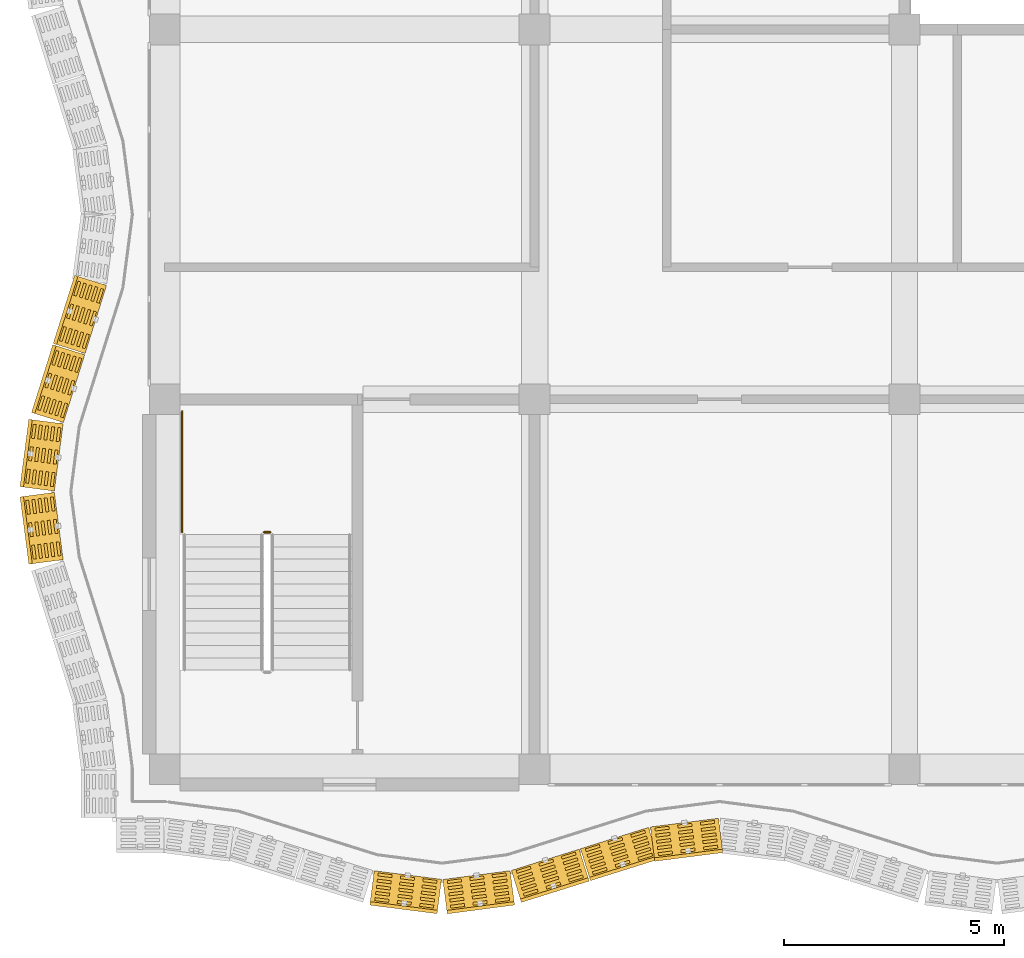
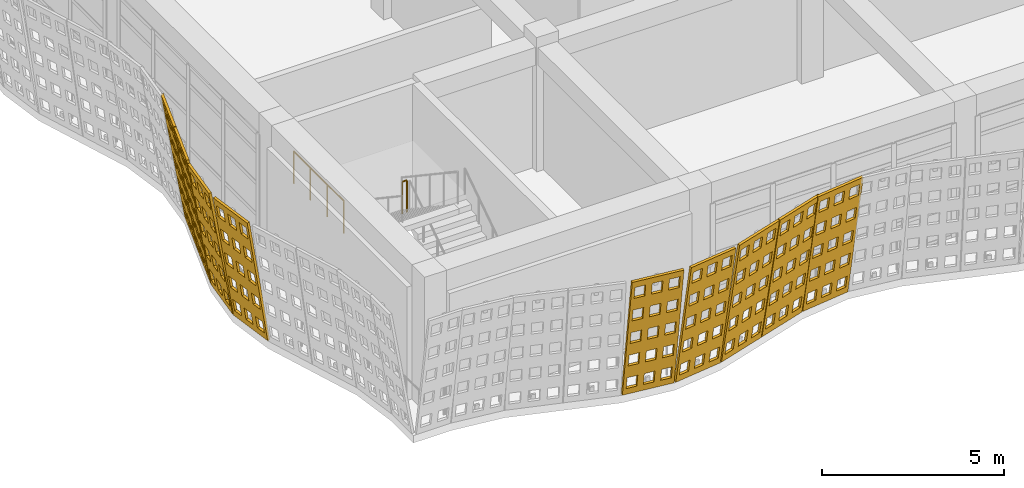
# One storey, part 149 of 163: 9 coverings, 2 railings.
"""IFC4 building model written with IfcOpenShell, lengths in metres."""

import ifcopenshell
import ifcopenshell.guid

model = None  # the IFC model being written
_history = None  # IfcOwnerHistory: only IFC2X3 demands one
_inside = {}  # id of a spatial element -> (the spatial element, [elements in it])
_under = {}  # id of a project, library or spatial element -> (it, [spatial elements below it])
_declared = {}  # id of a project -> (the project, [libraries it declares])
_typed = {}  # id of a type object -> (the type object, [elements of that type])
_made_of = {}  # id of a material, layer set ... -> (it, [elements and type objects made of it])


def new_model(schema):
    """Start an empty IFC model of exactly this schema.

    Asked for "IFC4X3", IfcOpenShell would pick the latest addendum, in which some entities
    have other attributes; the version numbers below select the first issue.
    IFC2X3 requires an IfcOwnerHistory on every rooted entity: one is made here for all.
    """
    global model, _history
    if schema == "IFC4X3":
        model = ifcopenshell.file(schema_version=(4, 3, 0, 0))
    else:
        model = ifcopenshell.file(schema=schema)
    _inside.clear()
    _under.clear()
    _declared.clear()
    _typed.clear()
    _made_of.clear()
    _history = None
    if model.schema == "IFC2X3":
        org = make("IfcOrganization", Name="unknown")
        user = make(
            "IfcPersonAndOrganization",
            ThePerson=make("IfcPerson", FamilyName="unknown"),
            TheOrganization=org,
        )
        app = make(
            "IfcApplication",
            ApplicationDeveloper=org,
            Version="unknown",
            ApplicationFullName="unknown",
            ApplicationIdentifier="unknown",
        )
        _history = make(
            "IfcOwnerHistory",
            OwningUser=user,
            OwningApplication=app,
            ChangeAction="ADDED",
            CreationDate=0,
        )
    return model


def make(cls, **values):
    """One entity of the class cls with the attributes given. An attribute that is None is left unset."""
    return model.create_entity(
        cls, **{name: value for name, value in values.items() if value is not None}
    )


def rooted(cls, **values):
    """An entity with a GlobalId (a new one), such as an element, a storey or a relation."""
    return make(cls, GlobalId=ifcopenshell.guid.new(), OwnerHistory=_history, **values)


def si_unit(unit_type, name, prefix=None):
    """IfcSIUnit, for example si_unit("LENGTHUNIT", "METRE", prefix="MILLI")."""
    return make("IfcSIUnit", UnitType=unit_type, Prefix=prefix, Name=name)


def assignment(units):
    """IfcUnitAssignment: the units of a project."""
    return None if units is None else make("IfcUnitAssignment", Units=units)


def point(xyz):
    """IfcCartesianPoint."""
    return None if xyz is None else make("IfcCartesianPoint", Coordinates=xyz)


def direction(xyz):
    """IfcDirection."""
    return None if xyz is None else make("IfcDirection", DirectionRatios=xyz)


def frame(location, z_axis=None, x_axis=None):
    """IfcAxis2Placement3D, a coordinate frame: its origin and axes. An axis left out is left unset."""
    return make(
        "IfcAxis2Placement3D",
        Location=point(location),
        Axis=direction(z_axis),
        RefDirection=direction(x_axis),
    )


def frame_2d(location, x_axis=None):
    """IfcAxis2Placement2D, a coordinate frame in the plane: its origin and x axis."""
    return make(
        "IfcAxis2Placement2D", Location=point(location), RefDirection=direction(x_axis)
    )


def origin():
    """The frame at (0, 0, 0) with its axes left unset."""
    return frame((0.0, 0.0, 0.0))


def origin_2d():
    """The frame at (0, 0) in the plane with its x axis left unset."""
    return frame_2d((0.0, 0.0))


def place(relative_to, where):
    """IfcLocalPlacement: puts the frame where relative to a parent placement (None: the world)."""
    return make(
        "IfcLocalPlacement", PlacementRelTo=relative_to, RelativePlacement=where
    )


def context(
    kind, dimensions, precision=None, world=None, true_north=None, identifier=None
):
    """IfcGeometricRepresentationContext, for example the 3D "Model" context."""
    return make(
        "IfcGeometricRepresentationContext",
        ContextIdentifier=identifier,
        ContextType=kind,
        CoordinateSpaceDimension=dimensions,
        Precision=precision,
        WorldCoordinateSystem=world,
        TrueNorth=true_north,
    )


def subcontext(parent, identifier, kind, view, scale=None):
    """IfcGeometricRepresentationSubContext, for example "Body" below "Model"."""
    return make(
        "IfcGeometricRepresentationSubContext",
        ContextIdentifier=identifier,
        ContextType=kind,
        ParentContext=parent,
        TargetScale=scale,
        TargetView=view,
    )


def project(units=None, contexts=None):
    """IfcProject with its units and contexts."""
    return rooted(
        "IfcProject",
        Name="project",
        RepresentationContexts=contexts,
        UnitsInContext=assignment(units),
    )


def spatial(cls, under=None, at=None, **own):
    """A site, building, storey or space (cls), placed at a placement, below another one or the project."""
    s = rooted(cls, ObjectPlacement=at, **own)
    if under is not None:
        _under.setdefault(under.id(), (under, []))[1].append(s)
    return s


def polyline(points):
    """IfcPolyline through the points."""
    return make("IfcPolyline", Points=[point(p) for p in points])


def profile(cls, at=None, kind="AREA", **sizes):
    """A parametric profile (cls). Its sizes go by their IFC names, for example OverallWidth=200.0."""
    return make(cls, ProfileType=kind, Position=at, **sizes)


def circle(**sizes):
    """IfcCircleProfileDef."""
    return profile("IfcCircleProfileDef", **sizes)


def outline(outer, holes=None, kind="AREA"):
    """IfcArbitraryClosedProfileDef: a profile drawn as a closed curve; with holes, ...WithVoids."""
    if holes is None:
        return make("IfcArbitraryClosedProfileDef", ProfileType=kind, OuterCurve=outer)
    return make(
        "IfcArbitraryProfileDefWithVoids",
        ProfileType=kind,
        OuterCurve=outer,
        InnerCurves=holes,
    )


def extrude(swept, where, along, depth):
    """IfcExtrudedAreaSolid: the profile swept, set in the frame where, extruded along a direction by depth."""
    return make(
        "IfcExtrudedAreaSolid",
        SweptArea=swept,
        Position=where,
        ExtrudedDirection=direction(along),
        Depth=depth,
    )


def shape(context_of_items, identifier, shape_type, items):
    """IfcShapeRepresentation: the items that make up one representation, for example the "Body"."""
    return make(
        "IfcShapeRepresentation",
        ContextOfItems=context_of_items,
        RepresentationIdentifier=identifier,
        RepresentationType=shape_type,
        Items=items,
    )


def material(Name=None, Category=None):
    """IfcMaterial."""
    return make("IfcMaterial", Name=Name, Category=Category)


def layer(
    of_material, thickness, ventilated=None, Name=None, Category=None, Priority=None
):
    """IfcMaterialLayer: one layer of a wall or slab, of a material (None: an air gap)."""
    return make(
        "IfcMaterialLayer",
        Material=of_material,
        LayerThickness=thickness,
        IsVentilated=ventilated,
        Name=Name,
        Category=Category,
        Priority=Priority,
    )


def layer_set(layers, Name=None):
    """IfcMaterialLayerSet."""
    return make("IfcMaterialLayerSet", MaterialLayers=layers, LayerSetName=Name)


def made_of(thing, what):
    """Note that an element or type object is made of a material, layer set ...; save() writes the relation."""
    if what is not None:
        _made_of.setdefault(what.id(), (what, []))[1].append(thing)
    return thing


def type_object(cls, material=None, **own):
    """A type object (cls), such as IfcWallType, which elements share."""
    return made_of(rooted(cls, **own), material)


def element(
    cls,
    number,
    at=None,
    inside=None,
    cuts=None,
    type_object=None,
    material=None,
    context=None,
    identifier="Body",
    shape_type=None,
    held_by="IfcProductDefinitionShape",
    body=None,
    shapes=None,
    **own,
):
    """One element of the class cls, such as IfcWall. Its Tag is "e" and its number.

    at: its placement. inside: the storey or other place that contains it. cuts: it is an
    opening in that element (IfcRelVoidsElement). A single representation is given by context,
    identifier, shape_type and body (its items); several are given by shapes. held_by: the class
    of the entity that holds the representations. save() writes the other relations.
    """
    e = rooted(cls, Tag="e%d" % number, ObjectPlacement=at, **own)
    if body is not None:
        shapes = [shape(context, identifier, shape_type, body)]
    if shapes is not None:
        e.Representation = make(held_by, Representations=shapes)
    if inside is not None:
        _inside.setdefault(inside.id(), (inside, []))[1].append(e)
    if cuts is not None:
        rooted(
            "IfcRelVoidsElement", RelatingBuildingElement=cuts, RelatedOpeningElement=e
        )
    if type_object is not None:
        _typed.setdefault(type_object.id(), (type_object, []))[1].append(e)
    return made_of(e, material)


def aggregate(whole, parts):
    """IfcRelAggregates: a whole, such as a stair, and the parts it consists of."""
    return rooted("IfcRelAggregates", RelatingObject=whole, RelatedObjects=parts)


def save(model, path):
    """Write the relations noted so far, then the file.

    IfcRelAggregates (storeys below a building ...), IfcRelContainedInSpatialStructure (elements
    in a storey), IfcRelDefinesByType, IfcRelAssociatesMaterial and IfcRelDeclares: one each for
    every whole, place, type object, material and project.
    """
    for whole, parts in _under.values():
        aggregate(whole, parts)
    for where, things in _inside.values():
        rooted(
            "IfcRelContainedInSpatialStructure",
            RelatedElements=things,
            RelatingStructure=where,
        )
    for kind, things in _typed.values():
        rooted("IfcRelDefinesByType", RelatedObjects=things, RelatingType=kind)
    for what, things in _made_of.values():
        rooted("IfcRelAssociatesMaterial", RelatedObjects=things, RelatingMaterial=what)
    for by, libraries in _declared.values():
        rooted("IfcRelDeclares", RelatingContext=by, RelatedDefinitions=libraries)
    model.write(path)


model = new_model("IFC4")

# Units and contexts
model_context = context("Model", 3, precision=1e-05, world=origin(), true_north=direction((0.0, 1.0)))
body_context = subcontext(model_context, "Body", "Model", "MODEL_VIEW")
ifc_project = project(units=[si_unit("LENGTHUNIT", "METRE"), si_unit("AREAUNIT", "SQUARE_METRE"), si_unit("VOLUMEUNIT", "CUBIC_METRE"), si_unit("PLANEANGLEUNIT", "RADIAN"), si_unit("MASSUNIT", "GRAM", prefix="KILO")], contexts=[model_context])

# Site, building, storey
site_placement = place(None, origin())
site = spatial("IfcSite", under=ifc_project, at=site_placement, CompositionType="ELEMENT")
building_placement = place(site_placement, origin())
building = spatial("IfcBuilding", under=site, at=building_placement, Name="Rain Tree Exposition and Congress Centre", CompositionType="ELEMENT")
storey_placement = place(building_placement, frame((0.0, 0.0, 10.5)))
storey = spatial("IfcBuildingStorey", under=building, at=storey_placement, Name="L02", CompositionType="ELEMENT", Elevation=10.5)

# Coverings
ifc_material_1 = material(Name="Perforated terracotta", Category="masonry")
ifc_layer = layer(ifc_material_1, 0.080078125)
ifc_layer_set = layer_set([ifc_layer], Name="Perforated terracotta")
covering_type = type_object("IfcCoveringType", Name="Terracotta screen 80", PredefinedType="CLADDING", material=ifc_layer_set)
covering_1_placement = place(storey_placement, frame((4.72509765625, -2.382568359375, 0.0), z_axis=(0.124968640969, 0.978413018317, 0.164592844203), x_axis=(-0.991941518713, 0.126696580272, 0.0)))
element("IfcCovering", 1, at=covering_1_placement, inside=storey, type_object=covering_type, Name="wing/screen/L02/004", PredefinedType="CLADDING", context=body_context, shape_type="SweptSolid", body=[
    extrude(outline(polyline([(-1.56298828125, 0.0), (-1.56298828125, 4.295166015625), (-0.02197265625, 4.295166015625), (-0.02197265625, 0.0), (-1.56298828125, 0.0)]), holes=[polyline([(-0.11962890625, 0.2216796875), (-0.11962890625, 0.63720703125), (-0.43798828125, 0.63720703125), (-0.43798828125, 0.2216796875), (-0.11962890625, 0.2216796875)]), polyline([(-0.11962890625, 1.080810546875), (-0.11962890625, 1.496337890625), (-0.43798828125, 1.496337890625), (-0.43798828125, 1.080810546875), (-0.11962890625, 1.080810546875)]), polyline([(-0.11962890625, 1.939697265625), (-0.11962890625, 2.35546875), (-0.43798828125, 2.35546875), (-0.43798828125, 1.939697265625), (-0.11962890625, 1.939697265625)]), polyline([(-0.11962890625, 2.798583984375), (-0.11962890625, 3.21435546875), (-0.43798828125, 3.21435546875), (-0.43798828125, 2.798583984375), (-0.11962890625, 2.798583984375)]), polyline([(-0.11962890625, 3.65771484375), (-0.11962890625, 4.073486328125), (-0.43798828125, 4.073486328125), (-0.43798828125, 3.65771484375), (-0.11962890625, 3.65771484375)]), polyline([(-0.63330078125, 0.2216796875), (-0.63330078125, 0.63720703125), (-0.95166015625, 0.63720703125), (-0.95166015625, 0.2216796875), (-0.63330078125, 0.2216796875)]), polyline([(-0.63330078125, 1.080810546875), (-0.63330078125, 1.496337890625), (-0.95166015625, 1.496337890625), (-0.95166015625, 1.080810546875), (-0.63330078125, 1.080810546875)]), polyline([(-0.63330078125, 1.939697265625), (-0.63330078125, 2.35546875), (-0.95166015625, 2.35546875), (-0.95166015625, 1.939697265625), (-0.63330078125, 1.939697265625)]), polyline([(-0.63330078125, 2.798583984375), (-0.63330078125, 3.21435546875), (-0.95166015625, 3.21435546875), (-0.95166015625, 2.798583984375), (-0.63330078125, 2.798583984375)]), polyline([(-0.63330078125, 3.65771484375), (-0.63330078125, 4.073486328125), (-0.95166015625, 4.073486328125), (-0.95166015625, 3.65771484375), (-0.63330078125, 3.65771484375)]), polyline([(-1.146728515625, 0.2216796875), (-1.146728515625, 0.63720703125), (-1.46533203125, 0.63720703125), (-1.46533203125, 0.2216796875), (-1.146728515625, 0.2216796875)]), polyline([(-1.146728515625, 1.080810546875), (-1.146728515625, 1.496337890625), (-1.46533203125, 1.496337890625), (-1.46533203125, 1.080810546875), (-1.146728515625, 1.080810546875)]), polyline([(-1.146728515625, 1.939697265625), (-1.146728515625, 2.35546875), (-1.46533203125, 2.35546875), (-1.46533203125, 1.939697265625), (-1.146728515625, 1.939697265625)]), polyline([(-1.146728515625, 2.798583984375), (-1.146728515625, 3.21435546875), (-1.46533203125, 3.21435546875), (-1.46533203125, 2.798583984375), (-1.146728515625, 2.798583984375)]), polyline([(-1.146728515625, 3.65771484375), (-1.146728515625, 4.073486328125), (-1.46533203125, 4.073486328125), (-1.46533203125, 3.65771484375), (-1.146728515625, 3.65771484375)])]), origin(), (0.0, 0.0, 1.0), 0.080078125),
])
covering_2_placement = place(storey_placement, frame((6.300048828125, -2.587646484375, 0.0), z_axis=(-0.127967328105, 0.978036007662, 0.16452942185), x_axis=(-0.991548658387, -0.129735338481, 0.0)))
element("IfcCovering", 2, at=covering_2_placement, inside=storey, type_object=covering_type, Name="wing/screen/L02/005", PredefinedType="CLADDING", context=body_context, shape_type="SweptSolid", body=[
    extrude(outline(polyline([(-1.56640625, 0.0), (-1.56640625, 4.295166015625), (-0.025390625, 4.295166015625), (-0.025390625, 0.0), (-1.56640625, 0.0)]), holes=[polyline([(-0.123046875, 0.2216796875), (-0.123046875, 0.63720703125), (-0.44140625, 0.63720703125), (-0.44140625, 0.2216796875), (-0.123046875, 0.2216796875)]), polyline([(-0.123046875, 1.080810546875), (-0.123046875, 1.496337890625), (-0.44140625, 1.496337890625), (-0.44140625, 1.080810546875), (-0.123046875, 1.080810546875)]), polyline([(-0.123046875, 1.939697265625), (-0.123046875, 2.35546875), (-0.44140625, 2.35546875), (-0.44140625, 1.939697265625), (-0.123046875, 1.939697265625)]), polyline([(-0.123046875, 2.798583984375), (-0.123046875, 3.21435546875), (-0.44140625, 3.21435546875), (-0.44140625, 2.798583984375), (-0.123046875, 2.798583984375)]), polyline([(-0.123046875, 3.65771484375), (-0.123046875, 4.073486328125), (-0.44140625, 4.073486328125), (-0.44140625, 3.65771484375), (-0.123046875, 3.65771484375)]), polyline([(-0.63671875, 0.2216796875), (-0.63671875, 0.63720703125), (-0.955078125, 0.63720703125), (-0.955078125, 0.2216796875), (-0.63671875, 0.2216796875)]), polyline([(-0.63671875, 1.080810546875), (-0.63671875, 1.496337890625), (-0.955078125, 1.496337890625), (-0.955078125, 1.080810546875), (-0.63671875, 1.080810546875)]), polyline([(-0.63671875, 1.939697265625), (-0.63671875, 2.35546875), (-0.955078125, 2.35546875), (-0.955078125, 1.939697265625), (-0.63671875, 1.939697265625)]), polyline([(-0.63671875, 2.798583984375), (-0.63671875, 3.21435546875), (-0.955078125, 3.21435546875), (-0.955078125, 2.798583984375), (-0.63671875, 2.798583984375)]), polyline([(-0.63671875, 3.65771484375), (-0.63671875, 4.073486328125), (-0.955078125, 4.073486328125), (-0.955078125, 3.65771484375), (-0.63671875, 3.65771484375)]), polyline([(-1.150146484375, 0.2216796875), (-1.150146484375, 0.63720703125), (-1.46875, 0.63720703125), (-1.46875, 0.2216796875), (-1.150146484375, 0.2216796875)]), polyline([(-1.150146484375, 1.080810546875), (-1.150146484375, 1.496337890625), (-1.46875, 1.496337890625), (-1.46875, 1.080810546875), (-1.150146484375, 1.080810546875)]), polyline([(-1.150146484375, 1.939697265625), (-1.150146484375, 2.35546875), (-1.46875, 2.35546875), (-1.46875, 1.939697265625), (-1.150146484375, 1.939697265625)]), polyline([(-1.150146484375, 2.798583984375), (-1.150146484375, 3.21435546875), (-1.46875, 3.21435546875), (-1.46875, 2.798583984375), (-1.150146484375, 2.798583984375)]), polyline([(-1.150146484375, 3.65771484375), (-1.150146484375, 4.073486328125), (-1.46875, 4.073486328125), (-1.46875, 3.65771484375), (-1.150146484375, 3.65771484375)])]), origin(), (0.0, 0.0, 1.0), 0.080078125),
])
covering_3_placement = place(storey_placement, frame((7.875, -2.382568359375, 0.0), z_axis=(-0.295717964052, 0.942029390639, 0.158529217842), x_axis=(-0.954094597562, -0.29950542383, 0.0)))
element("IfcCovering", 3, at=covering_3_placement, inside=storey, type_object=covering_type, Name="wing/screen/L02/006", PredefinedType="CLADDING", context=body_context, shape_type="SweptSolid", body=[
    extrude(outline(polyline([(-1.635986328125, 0.0), (-1.635986328125, 4.291259765625), (-0.02197265625, 4.291259765625), (-0.02197265625, 0.0), (-1.635986328125, 0.0)]), holes=[polyline([(-0.124267578125, 0.221435546875), (-0.124267578125, 0.63671875), (-0.457763671875, 0.63671875), (-0.457763671875, 0.221435546875), (-0.124267578125, 0.221435546875)]), polyline([(-0.124267578125, 1.07958984375), (-0.124267578125, 1.4951171875), (-0.457763671875, 1.4951171875), (-0.457763671875, 1.07958984375), (-0.124267578125, 1.07958984375)]), polyline([(-0.124267578125, 1.93798828125), (-0.124267578125, 2.353271484375), (-0.457763671875, 2.353271484375), (-0.457763671875, 1.93798828125), (-0.124267578125, 1.93798828125)]), polyline([(-0.124267578125, 2.796142578125), (-0.124267578125, 3.21142578125), (-0.457763671875, 3.21142578125), (-0.457763671875, 2.796142578125), (-0.124267578125, 2.796142578125)]), polyline([(-0.124267578125, 3.654541015625), (-0.124267578125, 4.06982421875), (-0.457763671875, 4.06982421875), (-0.457763671875, 3.654541015625), (-0.124267578125, 3.654541015625)]), polyline([(-0.662109375, 0.221435546875), (-0.662109375, 0.63671875), (-0.995849609375, 0.63671875), (-0.995849609375, 0.221435546875), (-0.662109375, 0.221435546875)]), polyline([(-0.662109375, 1.07958984375), (-0.662109375, 1.4951171875), (-0.995849609375, 1.4951171875), (-0.995849609375, 1.07958984375), (-0.662109375, 1.07958984375)]), polyline([(-0.662109375, 1.93798828125), (-0.662109375, 2.353271484375), (-0.995849609375, 2.353271484375), (-0.995849609375, 1.93798828125), (-0.662109375, 1.93798828125)]), polyline([(-0.662109375, 2.796142578125), (-0.662109375, 3.21142578125), (-0.995849609375, 3.21142578125), (-0.995849609375, 2.796142578125), (-0.662109375, 2.796142578125)]), polyline([(-0.662109375, 3.654541015625), (-0.662109375, 4.06982421875), (-0.995849609375, 4.06982421875), (-0.995849609375, 3.654541015625), (-0.662109375, 3.654541015625)]), polyline([(-1.2001953125, 0.221435546875), (-1.2001953125, 0.63671875), (-1.53369140625, 0.63671875), (-1.53369140625, 0.221435546875), (-1.2001953125, 0.221435546875)]), polyline([(-1.2001953125, 1.07958984375), (-1.2001953125, 1.4951171875), (-1.53369140625, 1.4951171875), (-1.53369140625, 1.07958984375), (-1.2001953125, 1.07958984375)]), polyline([(-1.2001953125, 1.93798828125), (-1.2001953125, 2.353271484375), (-1.53369140625, 2.353271484375), (-1.53369140625, 1.93798828125), (-1.2001953125, 1.93798828125)]), polyline([(-1.2001953125, 2.796142578125), (-1.2001953125, 3.21142578125), (-1.53369140625, 3.21142578125), (-1.53369140625, 2.796142578125), (-1.2001953125, 2.796142578125)]), polyline([(-1.2001953125, 3.654541015625), (-1.2001953125, 4.06982421875), (-1.53369140625, 4.06982421875), (-1.53369140625, 3.654541015625), (-1.2001953125, 3.654541015625)])]), origin(), (0.0, 0.0, 1.0), 0.080078125),
])
covering_4_placement = place(storey_placement, frame((9.449951171875, -1.8876953125, 0.0), z_axis=(-0.295717964052, 0.942029390639, 0.158529217842), x_axis=(-0.954094597562, -0.29950542383, 0.0)))
element("IfcCovering", 4, at=covering_4_placement, inside=storey, type_object=covering_type, Name="wing/screen/L02/007", PredefinedType="CLADDING", context=body_context, shape_type="SweptSolid", body=[
    extrude(outline(polyline([(-1.635986328125, 0.0), (-1.635986328125, 4.291259765625), (-0.014892578125, 4.291259765625), (-0.014892578125, 0.0), (-1.635986328125, 0.0)]), holes=[polyline([(-0.11767578125, 0.221435546875), (-0.11767578125, 0.63671875), (-0.45263671875, 0.63671875), (-0.45263671875, 0.221435546875), (-0.11767578125, 0.221435546875)]), polyline([(-0.11767578125, 1.07958984375), (-0.11767578125, 1.4951171875), (-0.45263671875, 1.4951171875), (-0.45263671875, 1.07958984375), (-0.11767578125, 1.07958984375)]), polyline([(-0.11767578125, 1.93798828125), (-0.11767578125, 2.353271484375), (-0.45263671875, 2.353271484375), (-0.45263671875, 1.93798828125), (-0.11767578125, 1.93798828125)]), polyline([(-0.11767578125, 2.796142578125), (-0.11767578125, 3.21142578125), (-0.45263671875, 3.21142578125), (-0.45263671875, 2.796142578125), (-0.11767578125, 2.796142578125)]), polyline([(-0.11767578125, 3.654541015625), (-0.11767578125, 4.06982421875), (-0.45263671875, 4.06982421875), (-0.45263671875, 3.654541015625), (-0.11767578125, 3.654541015625)]), polyline([(-0.657958984375, 0.221435546875), (-0.657958984375, 0.63671875), (-0.992919921875, 0.63671875), (-0.992919921875, 0.221435546875), (-0.657958984375, 0.221435546875)]), polyline([(-0.657958984375, 1.07958984375), (-0.657958984375, 1.4951171875), (-0.992919921875, 1.4951171875), (-0.992919921875, 1.07958984375), (-0.657958984375, 1.07958984375)]), polyline([(-0.657958984375, 1.93798828125), (-0.657958984375, 2.353271484375), (-0.992919921875, 2.353271484375), (-0.992919921875, 1.93798828125), (-0.657958984375, 1.93798828125)]), polyline([(-0.657958984375, 2.796142578125), (-0.657958984375, 3.21142578125), (-0.992919921875, 3.21142578125), (-0.992919921875, 2.796142578125), (-0.657958984375, 2.796142578125)]), polyline([(-0.657958984375, 3.654541015625), (-0.657958984375, 4.06982421875), (-0.992919921875, 4.06982421875), (-0.992919921875, 3.654541015625), (-0.657958984375, 3.654541015625)]), polyline([(-1.1982421875, 0.221435546875), (-1.1982421875, 0.63671875), (-1.533203125, 0.63671875), (-1.533203125, 0.221435546875), (-1.1982421875, 0.221435546875)]), polyline([(-1.1982421875, 1.07958984375), (-1.1982421875, 1.4951171875), (-1.533203125, 1.4951171875), (-1.533203125, 1.07958984375), (-1.1982421875, 1.07958984375)]), polyline([(-1.1982421875, 1.93798828125), (-1.1982421875, 2.353271484375), (-1.533203125, 2.353271484375), (-1.533203125, 1.93798828125), (-1.1982421875, 1.93798828125)]), polyline([(-1.1982421875, 2.796142578125), (-1.1982421875, 3.21142578125), (-1.533203125, 3.21142578125), (-1.533203125, 2.796142578125), (-1.1982421875, 2.796142578125)]), polyline([(-1.1982421875, 3.654541015625), (-1.1982421875, 4.06982421875), (-1.533203125, 4.06982421875), (-1.533203125, 3.654541015625), (-1.1982421875, 3.654541015625)])]), origin(), (0.0, 0.0, 1.0), 0.080078125),
])
covering_5_placement = place(storey_placement, frame((11.02490234375, -1.392578125, 0.0), z_axis=(-0.124968640969, 0.978413018317, 0.164592844203), x_axis=(-0.991941518713, -0.126696580272, 0.0)))
element("IfcCovering", 5, at=covering_5_placement, inside=storey, type_object=covering_type, Name="wing/screen/L02/008", PredefinedType="CLADDING", context=body_context, shape_type="SweptSolid", body=[
    extrude(outline(polyline([(-1.5732421875, 0.0), (-1.5732421875, 4.295166015625), (-0.014892578125, 4.295166015625), (-0.014892578125, 0.0), (-1.5732421875, 0.0)]), holes=[polyline([(-0.11376953125, 0.2216796875), (-0.11376953125, 0.63720703125), (-0.435791015625, 0.63720703125), (-0.435791015625, 0.2216796875), (-0.11376953125, 0.2216796875)]), polyline([(-0.11376953125, 1.080810546875), (-0.11376953125, 1.496337890625), (-0.435791015625, 1.496337890625), (-0.435791015625, 1.080810546875), (-0.11376953125, 1.080810546875)]), polyline([(-0.11376953125, 1.939697265625), (-0.11376953125, 2.35546875), (-0.435791015625, 2.35546875), (-0.435791015625, 1.939697265625), (-0.11376953125, 1.939697265625)]), polyline([(-0.11376953125, 2.798583984375), (-0.11376953125, 3.21435546875), (-0.435791015625, 3.21435546875), (-0.435791015625, 2.798583984375), (-0.11376953125, 2.798583984375)]), polyline([(-0.11376953125, 3.65771484375), (-0.11376953125, 4.073486328125), (-0.435791015625, 4.073486328125), (-0.435791015625, 3.65771484375), (-0.11376953125, 3.65771484375)]), polyline([(-0.633056640625, 0.2216796875), (-0.633056640625, 0.63720703125), (-0.955078125, 0.63720703125), (-0.955078125, 0.2216796875), (-0.633056640625, 0.2216796875)]), polyline([(-0.633056640625, 1.080810546875), (-0.633056640625, 1.496337890625), (-0.955078125, 1.496337890625), (-0.955078125, 1.080810546875), (-0.633056640625, 1.080810546875)]), polyline([(-0.633056640625, 1.939697265625), (-0.633056640625, 2.35546875), (-0.955078125, 2.35546875), (-0.955078125, 1.939697265625), (-0.633056640625, 1.939697265625)]), polyline([(-0.633056640625, 2.798583984375), (-0.633056640625, 3.21435546875), (-0.955078125, 3.21435546875), (-0.955078125, 2.798583984375), (-0.633056640625, 2.798583984375)]), polyline([(-0.633056640625, 3.65771484375), (-0.633056640625, 4.073486328125), (-0.955078125, 4.073486328125), (-0.955078125, 3.65771484375), (-0.633056640625, 3.65771484375)]), polyline([(-1.152587890625, 0.2216796875), (-1.152587890625, 0.63720703125), (-1.474609375, 0.63720703125), (-1.474609375, 0.2216796875), (-1.152587890625, 0.2216796875)]), polyline([(-1.152587890625, 1.080810546875), (-1.152587890625, 1.496337890625), (-1.474609375, 1.496337890625), (-1.474609375, 1.080810546875), (-1.152587890625, 1.080810546875)]), polyline([(-1.152587890625, 1.939697265625), (-1.152587890625, 2.35546875), (-1.474609375, 2.35546875), (-1.474609375, 1.939697265625), (-1.152587890625, 1.939697265625)]), polyline([(-1.152587890625, 2.798583984375), (-1.152587890625, 3.21435546875), (-1.474609375, 3.21435546875), (-1.474609375, 2.798583984375), (-1.152587890625, 2.798583984375)]), polyline([(-1.152587890625, 3.65771484375), (-1.152587890625, 4.073486328125), (-1.474609375, 4.073486328125), (-1.474609375, 3.65771484375), (-1.152587890625, 3.65771484375)])]), origin(), (0.0, 0.0, 1.0), 0.080078125),
])
covering_6_placement = place(storey_placement, frame((-1.392578125, 11.02490234375, 0.0), z_axis=(0.942029390639, -0.295717964052, 0.158529217842), x_axis=(0.29950542383, 0.954094597562, 0.0)))
element("IfcCovering", 6, at=covering_6_placement, inside=storey, type_object=covering_type, Name="wing/screen/L02/128", PredefinedType="CLADDING", context=body_context, shape_type="SweptSolid", body=[
    extrude(outline(polyline([(-1.635986328125, 0.0), (-1.635986328125, 4.291259765625), (-0.014892578125, 4.291259765625), (-0.014892578125, 0.0), (-1.635986328125, 0.0)]), holes=[polyline([(-0.11767578125, 0.221435546875), (-0.11767578125, 0.63671875), (-0.45263671875, 0.63671875), (-0.45263671875, 0.221435546875), (-0.11767578125, 0.221435546875)]), polyline([(-0.11767578125, 1.07958984375), (-0.11767578125, 1.4951171875), (-0.45263671875, 1.4951171875), (-0.45263671875, 1.07958984375), (-0.11767578125, 1.07958984375)]), polyline([(-0.11767578125, 1.93798828125), (-0.11767578125, 2.353271484375), (-0.45263671875, 2.353271484375), (-0.45263671875, 1.93798828125), (-0.11767578125, 1.93798828125)]), polyline([(-0.11767578125, 2.796142578125), (-0.11767578125, 3.21142578125), (-0.45263671875, 3.21142578125), (-0.45263671875, 2.796142578125), (-0.11767578125, 2.796142578125)]), polyline([(-0.11767578125, 3.654541015625), (-0.11767578125, 4.06982421875), (-0.45263671875, 4.06982421875), (-0.45263671875, 3.654541015625), (-0.11767578125, 3.654541015625)]), polyline([(-0.657958984375, 0.221435546875), (-0.657958984375, 0.63671875), (-0.992919921875, 0.63671875), (-0.992919921875, 0.221435546875), (-0.657958984375, 0.221435546875)]), polyline([(-0.657958984375, 1.07958984375), (-0.657958984375, 1.4951171875), (-0.992919921875, 1.4951171875), (-0.992919921875, 1.07958984375), (-0.657958984375, 1.07958984375)]), polyline([(-0.657958984375, 1.93798828125), (-0.657958984375, 2.353271484375), (-0.992919921875, 2.353271484375), (-0.992919921875, 1.93798828125), (-0.657958984375, 1.93798828125)]), polyline([(-0.657958984375, 2.796142578125), (-0.657958984375, 3.21142578125), (-0.992919921875, 3.21142578125), (-0.992919921875, 2.796142578125), (-0.657958984375, 2.796142578125)]), polyline([(-0.657958984375, 3.654541015625), (-0.657958984375, 4.06982421875), (-0.992919921875, 4.06982421875), (-0.992919921875, 3.654541015625), (-0.657958984375, 3.654541015625)]), polyline([(-1.1982421875, 0.221435546875), (-1.1982421875, 0.63671875), (-1.533203125, 0.63671875), (-1.533203125, 0.221435546875), (-1.1982421875, 0.221435546875)]), polyline([(-1.1982421875, 1.07958984375), (-1.1982421875, 1.4951171875), (-1.533203125, 1.4951171875), (-1.533203125, 1.07958984375), (-1.1982421875, 1.07958984375)]), polyline([(-1.1982421875, 1.93798828125), (-1.1982421875, 2.353271484375), (-1.533203125, 2.353271484375), (-1.533203125, 1.93798828125), (-1.1982421875, 1.93798828125)]), polyline([(-1.1982421875, 2.796142578125), (-1.1982421875, 3.21142578125), (-1.533203125, 3.21142578125), (-1.533203125, 2.796142578125), (-1.1982421875, 2.796142578125)]), polyline([(-1.1982421875, 3.654541015625), (-1.1982421875, 4.06982421875), (-1.533203125, 4.06982421875), (-1.533203125, 3.654541015625), (-1.1982421875, 3.654541015625)])]), origin(), (0.0, 0.0, 1.0), 0.080078125),
])
covering_7_placement = place(storey_placement, frame((-1.8876953125, 9.449951171875, 0.0), z_axis=(0.942029390639, -0.295717964052, 0.158529217842), x_axis=(0.29950542383, 0.954094597562, 0.0)))
element("IfcCovering", 7, at=covering_7_placement, inside=storey, type_object=covering_type, Name="wing/screen/L02/129", PredefinedType="CLADDING", context=body_context, shape_type="SweptSolid", body=[
    extrude(outline(polyline([(-1.62890625, 0.0), (-1.62890625, 4.291259765625), (-0.014892578125, 4.291259765625), (-0.014892578125, 0.0), (-1.62890625, 0.0)]), holes=[polyline([(-0.1171875, 0.221435546875), (-0.1171875, 0.63671875), (-0.45068359375, 0.63671875), (-0.45068359375, 0.221435546875), (-0.1171875, 0.221435546875)]), polyline([(-0.1171875, 1.07958984375), (-0.1171875, 1.4951171875), (-0.45068359375, 1.4951171875), (-0.45068359375, 1.07958984375), (-0.1171875, 1.07958984375)]), polyline([(-0.1171875, 1.93798828125), (-0.1171875, 2.353271484375), (-0.45068359375, 2.353271484375), (-0.45068359375, 1.93798828125), (-0.1171875, 1.93798828125)]), polyline([(-0.1171875, 2.796142578125), (-0.1171875, 3.21142578125), (-0.45068359375, 3.21142578125), (-0.45068359375, 2.796142578125), (-0.1171875, 2.796142578125)]), polyline([(-0.1171875, 3.654541015625), (-0.1171875, 4.06982421875), (-0.45068359375, 4.06982421875), (-0.45068359375, 3.654541015625), (-0.1171875, 3.654541015625)]), polyline([(-0.6552734375, 0.221435546875), (-0.6552734375, 0.63671875), (-0.98876953125, 0.63671875), (-0.98876953125, 0.221435546875), (-0.6552734375, 0.221435546875)]), polyline([(-0.6552734375, 1.07958984375), (-0.6552734375, 1.4951171875), (-0.98876953125, 1.4951171875), (-0.98876953125, 1.07958984375), (-0.6552734375, 1.07958984375)]), polyline([(-0.6552734375, 1.93798828125), (-0.6552734375, 2.353271484375), (-0.98876953125, 2.353271484375), (-0.98876953125, 1.93798828125), (-0.6552734375, 1.93798828125)]), polyline([(-0.6552734375, 2.796142578125), (-0.6552734375, 3.21142578125), (-0.98876953125, 3.21142578125), (-0.98876953125, 2.796142578125), (-0.6552734375, 2.796142578125)]), polyline([(-0.6552734375, 3.654541015625), (-0.6552734375, 4.06982421875), (-0.98876953125, 4.06982421875), (-0.98876953125, 3.654541015625), (-0.6552734375, 3.654541015625)]), polyline([(-1.193115234375, 0.221435546875), (-1.193115234375, 0.63671875), (-1.526611328125, 0.63671875), (-1.526611328125, 0.221435546875), (-1.193115234375, 0.221435546875)]), polyline([(-1.193115234375, 1.07958984375), (-1.193115234375, 1.4951171875), (-1.526611328125, 1.4951171875), (-1.526611328125, 1.07958984375), (-1.193115234375, 1.07958984375)]), polyline([(-1.193115234375, 1.93798828125), (-1.193115234375, 2.353271484375), (-1.526611328125, 2.353271484375), (-1.526611328125, 1.93798828125), (-1.193115234375, 1.93798828125)]), polyline([(-1.193115234375, 2.796142578125), (-1.193115234375, 3.21142578125), (-1.526611328125, 3.21142578125), (-1.526611328125, 2.796142578125), (-1.193115234375, 2.796142578125)]), polyline([(-1.193115234375, 3.654541015625), (-1.193115234375, 4.06982421875), (-1.526611328125, 4.06982421875), (-1.526611328125, 3.654541015625), (-1.193115234375, 3.654541015625)])]), origin(), (0.0, 0.0, 1.0), 0.080078125),
])
covering_8_placement = place(storey_placement, frame((-2.382568359375, 7.875, 0.0), z_axis=(0.978036007662, -0.127967328105, 0.16452942185), x_axis=(0.129735338481, 0.991548658387, 0.0)))
element("IfcCovering", 8, at=covering_8_placement, inside=storey, type_object=covering_type, Name="wing/screen/L02/130", PredefinedType="CLADDING", context=body_context, shape_type="SweptSolid", body=[
    extrude(outline(polyline([(-1.56298828125, 0.0), (-1.56298828125, 4.295166015625), (-0.02197265625, 4.295166015625), (-0.02197265625, 0.0), (-1.56298828125, 0.0)]), holes=[polyline([(-0.11962890625, 0.2216796875), (-0.11962890625, 0.63720703125), (-0.43798828125, 0.63720703125), (-0.43798828125, 0.2216796875), (-0.11962890625, 0.2216796875)]), polyline([(-0.11962890625, 1.080810546875), (-0.11962890625, 1.496337890625), (-0.43798828125, 1.496337890625), (-0.43798828125, 1.080810546875), (-0.11962890625, 1.080810546875)]), polyline([(-0.11962890625, 1.939697265625), (-0.11962890625, 2.35546875), (-0.43798828125, 2.35546875), (-0.43798828125, 1.939697265625), (-0.11962890625, 1.939697265625)]), polyline([(-0.11962890625, 2.798583984375), (-0.11962890625, 3.21435546875), (-0.43798828125, 3.21435546875), (-0.43798828125, 2.798583984375), (-0.11962890625, 2.798583984375)]), polyline([(-0.11962890625, 3.65771484375), (-0.11962890625, 4.073486328125), (-0.43798828125, 4.073486328125), (-0.43798828125, 3.65771484375), (-0.11962890625, 3.65771484375)]), polyline([(-0.63330078125, 0.2216796875), (-0.63330078125, 0.63720703125), (-0.95166015625, 0.63720703125), (-0.95166015625, 0.2216796875), (-0.63330078125, 0.2216796875)]), polyline([(-0.63330078125, 1.080810546875), (-0.63330078125, 1.496337890625), (-0.95166015625, 1.496337890625), (-0.95166015625, 1.080810546875), (-0.63330078125, 1.080810546875)]), polyline([(-0.63330078125, 1.939697265625), (-0.63330078125, 2.35546875), (-0.95166015625, 2.35546875), (-0.95166015625, 1.939697265625), (-0.63330078125, 1.939697265625)]), polyline([(-0.63330078125, 2.798583984375), (-0.63330078125, 3.21435546875), (-0.95166015625, 3.21435546875), (-0.95166015625, 2.798583984375), (-0.63330078125, 2.798583984375)]), polyline([(-0.63330078125, 3.65771484375), (-0.63330078125, 4.073486328125), (-0.95166015625, 4.073486328125), (-0.95166015625, 3.65771484375), (-0.63330078125, 3.65771484375)]), polyline([(-1.146728515625, 0.2216796875), (-1.146728515625, 0.63720703125), (-1.46533203125, 0.63720703125), (-1.46533203125, 0.2216796875), (-1.146728515625, 0.2216796875)]), polyline([(-1.146728515625, 1.080810546875), (-1.146728515625, 1.496337890625), (-1.46533203125, 1.496337890625), (-1.46533203125, 1.080810546875), (-1.146728515625, 1.080810546875)]), polyline([(-1.146728515625, 1.939697265625), (-1.146728515625, 2.35546875), (-1.46533203125, 2.35546875), (-1.46533203125, 1.939697265625), (-1.146728515625, 1.939697265625)]), polyline([(-1.146728515625, 2.798583984375), (-1.146728515625, 3.21435546875), (-1.46533203125, 3.21435546875), (-1.46533203125, 2.798583984375), (-1.146728515625, 2.798583984375)]), polyline([(-1.146728515625, 3.65771484375), (-1.146728515625, 4.073486328125), (-1.46533203125, 4.073486328125), (-1.46533203125, 3.65771484375), (-1.146728515625, 3.65771484375)])]), origin(), (0.0, 0.0, 1.0), 0.080078125),
])
covering_9_placement = place(storey_placement, frame((-2.587646484375, 6.300048828125, 0.0), z_axis=(0.978036007662, 0.127967328105, 0.16452942185), x_axis=(-0.129735338481, 0.991548658387, 0.0)))
element("IfcCovering", 9, at=covering_9_placement, inside=storey, type_object=covering_type, Name="wing/screen/L02/131", PredefinedType="CLADDING", context=body_context, shape_type="SweptSolid", body=[
    extrude(outline(polyline([(-1.56640625, 0.0), (-1.56640625, 4.295166015625), (-0.025390625, 4.295166015625), (-0.025390625, 0.0), (-1.56640625, 0.0)]), holes=[polyline([(-0.123046875, 0.2216796875), (-0.123046875, 0.63720703125), (-0.44140625, 0.63720703125), (-0.44140625, 0.2216796875), (-0.123046875, 0.2216796875)]), polyline([(-0.123046875, 1.080810546875), (-0.123046875, 1.496337890625), (-0.44140625, 1.496337890625), (-0.44140625, 1.080810546875), (-0.123046875, 1.080810546875)]), polyline([(-0.123046875, 1.939697265625), (-0.123046875, 2.35546875), (-0.44140625, 2.35546875), (-0.44140625, 1.939697265625), (-0.123046875, 1.939697265625)]), polyline([(-0.123046875, 2.798583984375), (-0.123046875, 3.21435546875), (-0.44140625, 3.21435546875), (-0.44140625, 2.798583984375), (-0.123046875, 2.798583984375)]), polyline([(-0.123046875, 3.65771484375), (-0.123046875, 4.073486328125), (-0.44140625, 4.073486328125), (-0.44140625, 3.65771484375), (-0.123046875, 3.65771484375)]), polyline([(-0.63671875, 0.2216796875), (-0.63671875, 0.63720703125), (-0.955078125, 0.63720703125), (-0.955078125, 0.2216796875), (-0.63671875, 0.2216796875)]), polyline([(-0.63671875, 1.080810546875), (-0.63671875, 1.496337890625), (-0.955078125, 1.496337890625), (-0.955078125, 1.080810546875), (-0.63671875, 1.080810546875)]), polyline([(-0.63671875, 1.939697265625), (-0.63671875, 2.35546875), (-0.955078125, 2.35546875), (-0.955078125, 1.939697265625), (-0.63671875, 1.939697265625)]), polyline([(-0.63671875, 2.798583984375), (-0.63671875, 3.21435546875), (-0.955078125, 3.21435546875), (-0.955078125, 2.798583984375), (-0.63671875, 2.798583984375)]), polyline([(-0.63671875, 3.65771484375), (-0.63671875, 4.073486328125), (-0.955078125, 4.073486328125), (-0.955078125, 3.65771484375), (-0.63671875, 3.65771484375)]), polyline([(-1.150146484375, 0.2216796875), (-1.150146484375, 0.63720703125), (-1.46875, 0.63720703125), (-1.46875, 0.2216796875), (-1.150146484375, 0.2216796875)]), polyline([(-1.150146484375, 1.080810546875), (-1.150146484375, 1.496337890625), (-1.46875, 1.496337890625), (-1.46875, 1.080810546875), (-1.150146484375, 1.080810546875)]), polyline([(-1.150146484375, 1.939697265625), (-1.150146484375, 2.35546875), (-1.46875, 2.35546875), (-1.46875, 1.939697265625), (-1.150146484375, 1.939697265625)]), polyline([(-1.150146484375, 2.798583984375), (-1.150146484375, 3.21435546875), (-1.46875, 3.21435546875), (-1.46875, 2.798583984375), (-1.150146484375, 2.798583984375)]), polyline([(-1.150146484375, 3.65771484375), (-1.150146484375, 4.073486328125), (-1.46875, 4.073486328125), (-1.46875, 3.65771484375), (-1.150146484375, 3.65771484375)])]), origin(), (0.0, 0.0, 1.0), 0.080078125),
])

# Railings
ifc_material_2 = material(Name="Steel S355J2H", Category="steel")
railing_type = type_object("IfcRailingType", Name="Wing stair guard 1100", PredefinedType="GUARDRAIL", material=ifc_material_2)
railing_1_placement = place(storey_placement, frame((2.39990234375, 5.3798828125, 2.25)))
element("IfcRailing", 10, at=railing_1_placement, inside=storey, type_object=railing_type, Name="L02 ST-W1 stair guard 2", PredefinedType="GUARDRAIL", context=body_context, shape_type="SweptSolid", body=[
    extrude(circle(Radius=0.02392578125, at=origin_2d()), frame((0.0, 0.0, 1.076171875), z_axis=(-1.0, 0.0, 0.0), x_axis=(0.0, -1.0, 0.0)), (0.0, 0.0, 1.0), 0.14990234375),
    extrude(circle(Radius=0.02099609375, at=origin_2d()), origin(), (0.0, 0.0, 1.0), 1.052001953125),
    extrude(circle(Radius=0.02099609375, at=origin_2d()), frame((-0.14990234375, 0.0, 0.0)), (0.0, 0.0, 1.0), 1.052001953125),
])
railing_2_placement = place(storey_placement, frame((0.39697265625, 5.3798828125, 2.25)))
element("IfcRailing", 11, at=railing_2_placement, inside=storey, type_object=railing_type, Name="wing/stair/ST-W1-L02-LG1", PredefinedType="GUARDRAIL", context=body_context, shape_type="SweptSolid", body=[
    extrude(circle(Radius=0.02392578125, at=origin_2d()), frame((0.0, 0.0, 1.076171875), z_axis=(0.0, 1.0, 0.0), x_axis=(-1.0, 0.0, 0.0)), (0.0, 0.0, 1.0), 2.748046875),
    extrude(circle(Radius=0.02099609375, at=origin_2d()), origin(), (0.0, 0.0, 1.0), 1.052001953125),
    extrude(circle(Radius=0.02099609375, at=origin_2d()), frame((0.0, 0.916015625, 0.0)), (0.0, 0.0, 1.0), 1.052001953125),
    extrude(circle(Radius=0.02099609375, at=origin_2d()), frame((0.0, 1.83203125, 0.0)), (0.0, 0.0, 1.0), 1.052001953125),
    extrude(circle(Radius=0.02099609375, at=origin_2d()), frame((0.0, 2.748046875, 0.0)), (0.0, 0.0, 1.0), 1.052001953125),
])

save(model, "model.ifc")
